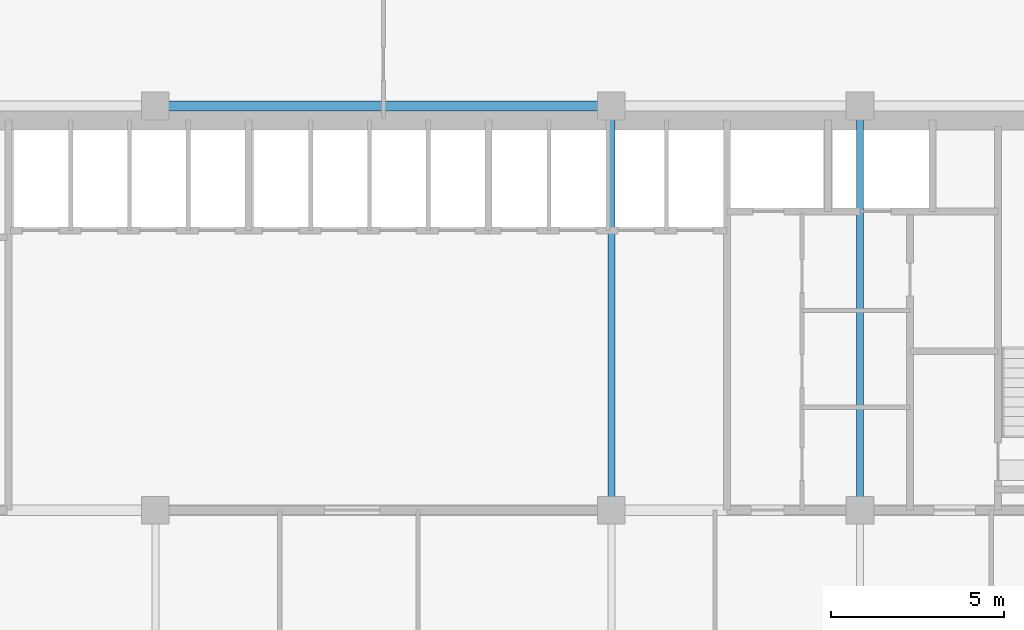
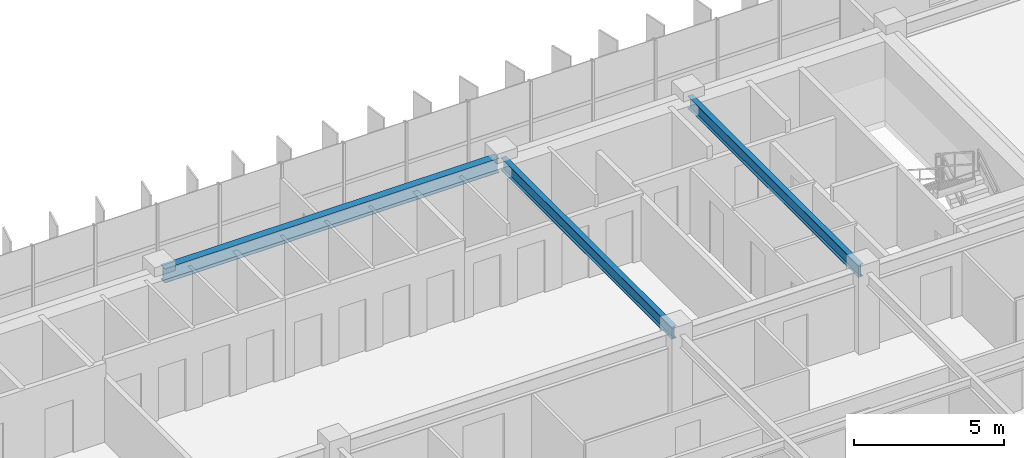
# One storey, part 12 of 26: 3 beams.
"""IFC4 building model written with IfcOpenShell, lengths in metres."""

from ifc_helpers import new_model, si_unit, direction, frame, origin, origin_2d, place, context, subcontext, project, spatial, i_section, extrude, source, transform, mapped, material, material_profile, profile_set, type_object, element, save


model = new_model("IFC4")

# Units and contexts
model_context = context("Model", 3, precision=1e-05, world=origin(), true_north=direction((0.0, 1.0)))
body_context = subcontext(model_context, "Body", "Model", "MODEL_VIEW")
ifc_project = project(units=[si_unit("LENGTHUNIT", "METRE"), si_unit("AREAUNIT", "SQUARE_METRE"), si_unit("VOLUMEUNIT", "CUBIC_METRE"), si_unit("PLANEANGLEUNIT", "RADIAN"), si_unit("MASSUNIT", "GRAM", prefix="KILO")], contexts=[model_context])

# Site, building, storey
site_placement = place(None, origin())
site = spatial("IfcSite", under=ifc_project, at=site_placement, CompositionType="ELEMENT")
building_placement = place(site_placement, origin())
building = spatial("IfcBuilding", under=site, at=building_placement, Name="Trelvane Seafront Commons", CompositionType="ELEMENT")
storey_placement = place(building_placement, frame((0.0, 0.0, 128.5)))
storey = spatial("IfcBuildingStorey", under=building, at=storey_placement, Name="L33", CompositionType="ELEMENT", Elevation=128.5)

# Beams
ifc_material = material(Name="Steel SM355 (S355)", Category="steel")
ifc_material_profile_1 = material_profile(ifc_material, i_section(OverallWidth=0.300048828125, OverallDepth=0.587890625, WebThickness=0.011962890625, FlangeThickness=0.02001953125, at=origin_2d()), Name="H-588x300x12x20")
ifc_profile_set_1 = profile_set([ifc_material_profile_1], Name="Steel SM355 (S355)")
beam_type_1 = type_object("IfcBeamType", Name="STR-BM-H588", PredefinedType="BEAM", material=ifc_profile_set_1)
shared_shape_1 = source(origin(), body_context, "Body", "SweptSolid", [
    extrude(i_section(OverallWidth=0.300048828125, OverallDepth=0.587890625, WebThickness=0.011962890625, FlangeThickness=0.02001953125, at=origin_2d()), origin(), (0.0, 0.0, 1.0), 12.89990234375),
])
beam_placement = place(storey_placement, frame((30.75, 45.10009765625, 2.926025390625), z_axis=(1.0, 0.0, 0.0), x_axis=(0.0, 1.0, 0.0)))
element("IfcBeam", 1, at=beam_placement, inside=storey, type_object=beam_type_1, Name="L33 Primary Girder G-32", PredefinedType="BEAM", context=body_context, shape_type="MappedRepresentation", body=[
    mapped(shared_shape_1, transform((0.0, 0.0, 0.0), x_axis=(1.0, 0.0, 0.0), y_axis=(0.0, 1.0, 0.0), z_axis=(0.0, 0.0, 1.0), scale=1.0)),
])
ifc_material_profile_2 = material_profile(ifc_material, i_section(OverallWidth=0.199951171875, OverallDepth=0.5, WebThickness=0.010009765625, FlangeThickness=0.01611328125, at=origin_2d()), Name="H-500x200x10x16")
ifc_profile_set_2 = profile_set([ifc_material_profile_2], Name="Steel SM355 (S355)")
beam_type_2 = type_object("IfcBeamType", Name="STR-BM-H500", PredefinedType="BEAM", material=ifc_profile_set_2)
shared_shape_2 = source(origin(), body_context, "Body", "SweptSolid", [
    extrude(i_section(OverallWidth=0.199951171875, OverallDepth=0.5, WebThickness=0.010009765625, FlangeThickness=0.01611328125, at=origin_2d()), origin(), (0.0, 0.0, 1.0), 11.39990234375),
])
for number, where, z_axis, x_axis, name in (
    (2, (43.800048828125, 33.550048828125, 2.969970703125), (0.0, 1.0, 0.0), (-1.0, 0.0, 0.0), "L33 Primary Girder G-54"),
    (3, (51.0, 33.550048828125, 2.969970703125), (0.0, 1.0, 0.0), (-1.0, 0.0, 0.0), "L33 Primary Girder G-57"),
):
    element("IfcBeam", number, at=place(storey_placement, frame(where, z_axis=z_axis, x_axis=x_axis)), inside=storey, type_object=beam_type_2, Name=name, PredefinedType="BEAM", context=body_context, shape_type="MappedRepresentation", body=[
        mapped(shared_shape_2, transform((0.0, 0.0, 0.0), x_axis=(1.0, 0.0, 0.0), y_axis=(0.0, 1.0, 0.0), z_axis=(0.0, 0.0, 1.0), scale=1.0)),
    ])

save(model, "model.ifc")
